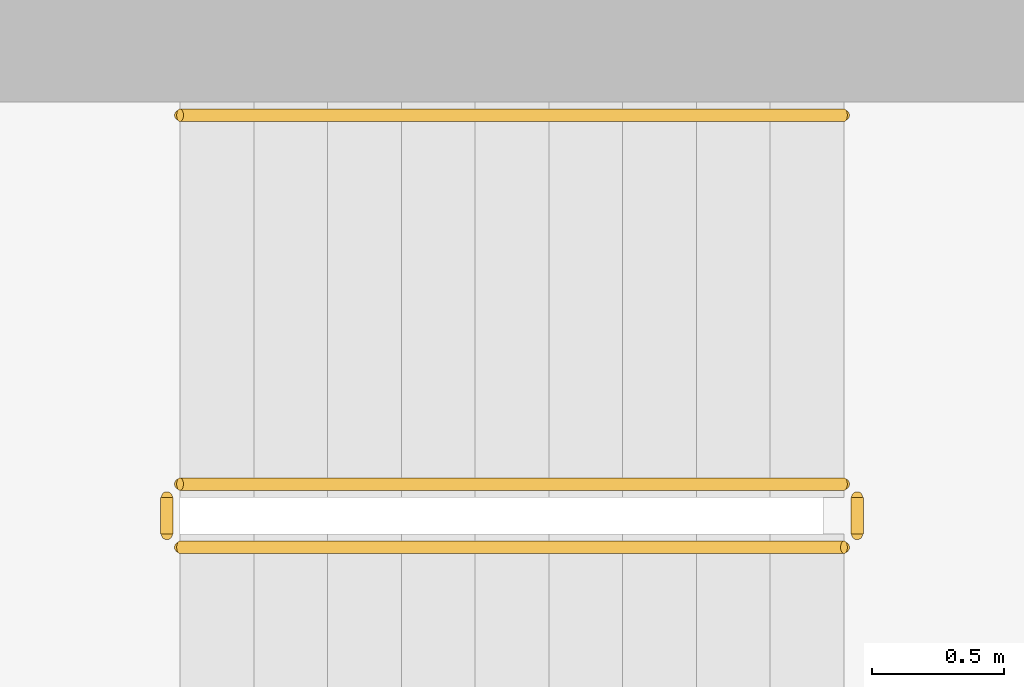
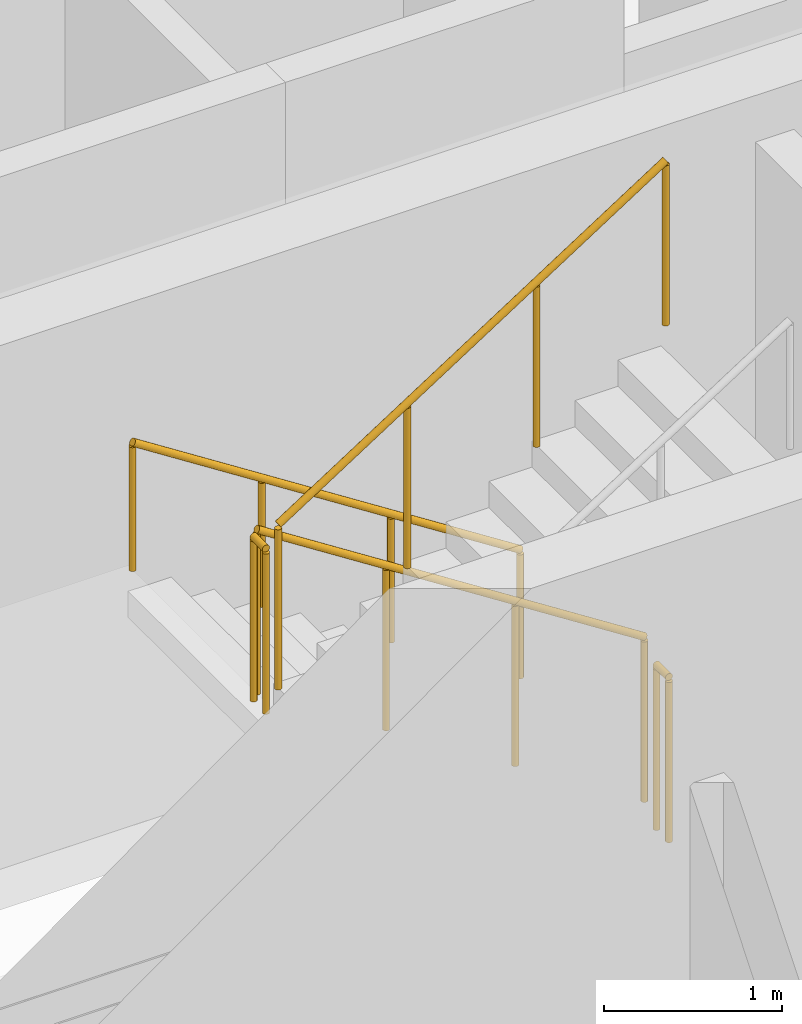
# One storey, part 12 of 13: 5 railings.
"""IFC4 building model written with IfcOpenShell, lengths in metres."""

from ifc_helpers import new_model, si_unit, derived_unit, direction, frame, origin, origin_2d, place, context, subcontext, project, spatial, circle, extrude, material, type_object, element, save


model = new_model("IFC4")

# Units and contexts
model_context = context("Model", 3, precision=1e-05, world=origin(), true_north=direction((0.0, 1.0)))
body_context = subcontext(model_context, "Body", "Model", "MODEL_VIEW")
ifc_project = project(units=[si_unit("LENGTHUNIT", "METRE"), si_unit("AREAUNIT", "SQUARE_METRE"), si_unit("VOLUMEUNIT", "CUBIC_METRE"), si_unit("PLANEANGLEUNIT", "RADIAN"), si_unit("MASSUNIT", "GRAM", prefix="KILO"), derived_unit("THERMALTRANSMITTANCEUNIT", [(si_unit("POWERUNIT", "WATT"), 1), (si_unit("LENGTHUNIT", "METRE"), -2), (si_unit("THERMODYNAMICTEMPERATUREUNIT", "KELVIN"), -1)])], contexts=[model_context])

# Site, building, storey
site_placement = place(None, origin())
site = spatial("IfcSite", under=ifc_project, at=site_placement, CompositionType="ELEMENT")
building_placement = place(site_placement, origin())
building = spatial("IfcBuilding", under=site, at=building_placement, Name="Kivonza Crest Hotel", CompositionType="ELEMENT")
storey_placement = place(building_placement, frame((0.0, 0.0, 235.10009765625)))
storey = spatial("IfcBuildingStorey", under=building, at=storey_placement, Name="L64", CompositionType="ELEMENT", Elevation=235.10009765625)

# Railings
ifc_material_1 = material(Name="Brushed stainless steel handrail", Category="steel")
railing_type_1 = type_object("IfcRailingType", Name="RL-HAND-900", PredefinedType="HANDRAIL", material=ifc_material_1)
railing_1_placement = place(storey_placement, frame((12.239990234375, 36.110107421875, 0.179931640625)))
element("IfcRailing", 1, at=railing_1_placement, inside=storey, type_object=railing_type_1, Name="L64 ST-T1-N stair handrail 1", PredefinedType="HANDRAIL", context=body_context, shape_type="SweptSolid", body=[
    extrude(circle(Radius=0.02392578125, at=origin_2d()), frame((0.0, 0.0, 0.8759765625), z_axis=(-0.841199657755, 0.0, 0.540724639528), x_axis=(0.0, -1.0, 0.0)), (0.0, 0.0, 1.0), 2.995849609375),
    extrude(circle(Radius=0.02099609375, at=origin_2d()), origin(), (0.0, 0.0, 1.0), 0.851806640625),
    extrude(circle(Radius=0.02099609375, at=origin_2d()), frame((-0.840087890625, 0.0, 0.5400390625)), (0.0, 0.0, 1.0), 0.851806640625),
    extrude(circle(Radius=0.02099609375, at=origin_2d()), frame((-1.679931640625, 0.0, 1.079833984375)), (0.0, 0.0, 1.0), 0.851806640625),
    extrude(circle(Radius=0.02099609375, at=origin_2d()), frame((-2.52001953125, 0.0, 1.619873046875)), (0.0, 0.0, 1.0), 0.851806640625),
])
ifc_material_2 = material(Name="Painted steel balustrade", Category="steel")
railing_type_2 = type_object("IfcRailingType", Name="RL-STAIR-1150", PredefinedType="BALUSTRADE", material=ifc_material_2)
railing_2_placement = place(storey_placement, frame((12.239990234375, 34.7099609375, 0.179931640625)))
element("IfcRailing", 2, at=railing_2_placement, inside=storey, type_object=railing_type_2, Name="L64 ST-T1-N stair guard 1", PredefinedType="BALUSTRADE", context=body_context, shape_type="SweptSolid", body=[
    extrude(circle(Radius=0.02392578125, at=origin_2d()), frame((0.0, 0.0, 1.1259765625), z_axis=(-0.841199657755, 0.0, 0.540724639528), x_axis=(0.0, -1.0, 0.0)), (0.0, 0.0, 1.0), 2.995849609375),
    extrude(circle(Radius=0.02099609375, at=origin_2d()), origin(), (0.0, 0.0, 1.0), 1.101806640625),
    extrude(circle(Radius=0.02099609375, at=origin_2d()), frame((-0.840087890625, 0.0, 0.5400390625)), (0.0, 0.0, 1.0), 1.101806640625),
    extrude(circle(Radius=0.02099609375, at=origin_2d()), frame((-1.679931640625, 0.0, 1.079833984375)), (0.0, 0.0, 1.0), 1.101806640625),
    extrude(circle(Radius=0.02099609375, at=origin_2d()), frame((-2.52001953125, 0.0, 1.619873046875)), (0.0, 0.0, 1.0), 1.101806640625),
])
railing_3_placement = place(storey_placement, frame((9.669921875, 34.659912109375, 1.7998046875)))
element("IfcRailing", 3, at=railing_3_placement, inside=storey, type_object=railing_type_2, Name="L64 ST-T1-N stair guard 2", PredefinedType="BALUSTRADE", context=body_context, shape_type="SweptSolid", body=[
    extrude(circle(Radius=0.02392578125, at=origin_2d()), frame((0.0, 0.0, 1.1259765625), z_axis=(0.0, -1.0, 0.0), x_axis=(1.0, 0.0, 0.0)), (0.0, 0.0, 1.0), 0.139892578125),
    extrude(circle(Radius=0.02099609375, at=origin_2d()), origin(), (0.0, 0.0, 1.0), 1.101806640625),
    extrude(circle(Radius=0.02099609375, at=origin_2d()), frame((0.0, -0.139892578125, 0.0)), (0.0, 0.0, 1.0), 1.101806640625),
])
railing_4_placement = place(storey_placement, frame((9.719970703125, 34.469970703125, 1.97998046875)))
element("IfcRailing", 4, at=railing_4_placement, inside=storey, type_object=railing_type_2, Name="L64 ST-T1-N stair guard 3", PredefinedType="BALUSTRADE", context=body_context, shape_type="SweptSolid", body=[
    extrude(circle(Radius=0.02392578125, at=origin_2d()), frame((0.0, 0.0, 1.1259765625), z_axis=(0.841199657755, 0.0, 0.540724639528), x_axis=(0.0, 1.0, 0.0)), (0.0, 0.0, 1.0), 2.995849609375),
    extrude(circle(Radius=0.02099609375, at=origin_2d()), origin(), (0.0, 0.0, 1.0), 1.101806640625),
    extrude(circle(Radius=0.02099609375, at=origin_2d()), frame((0.840087890625, 0.0, 0.5400390625)), (0.0, 0.0, 1.0), 1.101806640625),
    extrude(circle(Radius=0.02099609375, at=origin_2d()), frame((1.679931640625, 0.0, 1.079833984375)), (0.0, 0.0, 1.0), 1.101806640625),
    extrude(circle(Radius=0.02099609375, at=origin_2d()), frame((2.52001953125, 0.0, 1.619873046875)), (0.0, 0.0, 1.0), 1.101806640625),
])
railing_5_placement = place(storey_placement, frame((12.2900390625, 34.659912109375, 0.0)))
element("IfcRailing", 5, at=railing_5_placement, inside=storey, type_object=railing_type_2, Name="L64 ST-T1-N stair guard 4", PredefinedType="BALUSTRADE", context=body_context, shape_type="SweptSolid", body=[
    extrude(circle(Radius=0.02392578125, at=origin_2d()), frame((0.0, 0.0, 1.1259765625), z_axis=(0.0, -1.0, 0.0), x_axis=(1.0, 0.0, 0.0)), (0.0, 0.0, 1.0), 0.139892578125),
    extrude(circle(Radius=0.02099609375, at=origin_2d()), origin(), (0.0, 0.0, 1.0), 1.101806640625),
    extrude(circle(Radius=0.02099609375, at=origin_2d()), frame((0.0, -0.139892578125, 0.0)), (0.0, 0.0, 1.0), 1.101806640625),
])

save(model, "model.ifc")
